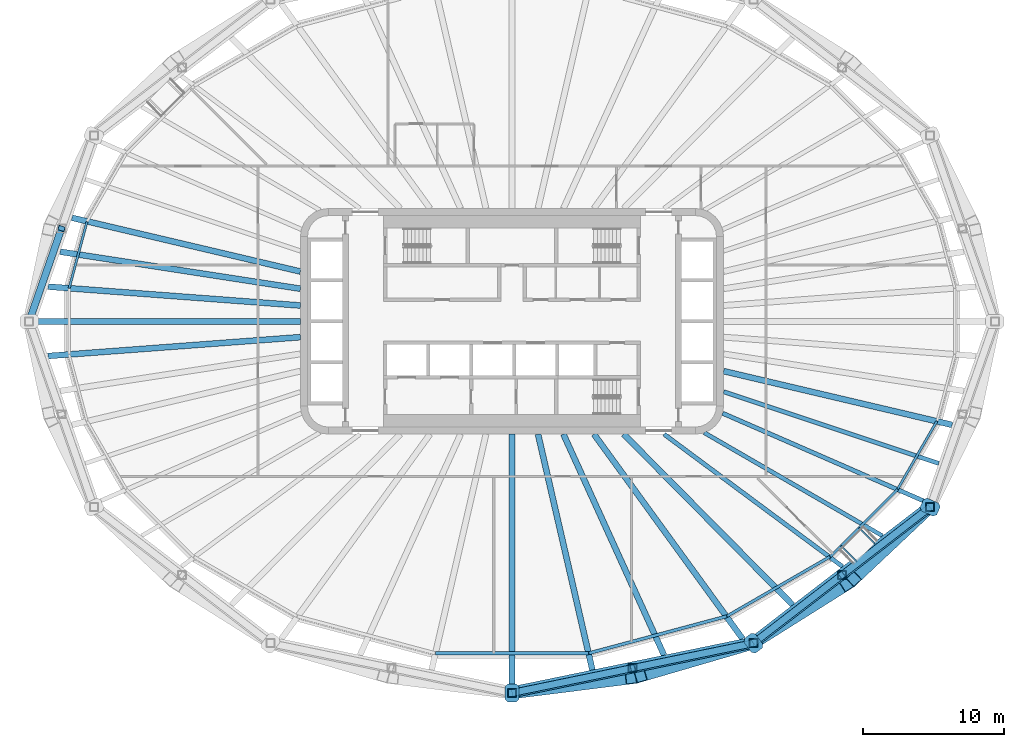
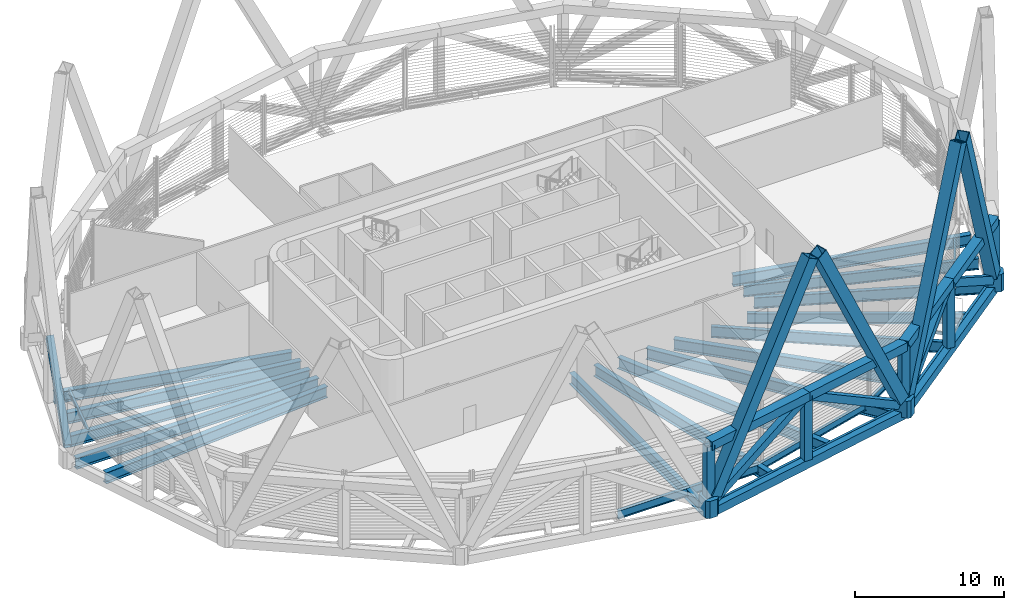
# One storey, part 2 of 18: 27 beams, 21 members.
"""IFC4 building model written with IfcOpenShell, lengths in metres."""

from ifc_helpers import new_model, si_unit, direction, frame, origin, origin_2d, place, context, subcontext, project, spatial, polyline, hollow_rectangle, i_section, outline, extrude, material, material_profile, profile_set, type_object, element, save


model = new_model("IFC4")

# Units and contexts
model_context = context("Model", 3, precision=1e-05, world=origin(), true_north=direction((0.0, 1.0)))
body_context = subcontext(model_context, "Body", "Model", "MODEL_VIEW")
ifc_project = project(units=[si_unit("LENGTHUNIT", "METRE"), si_unit("AREAUNIT", "SQUARE_METRE"), si_unit("VOLUMEUNIT", "CUBIC_METRE"), si_unit("PLANEANGLEUNIT", "RADIAN"), si_unit("MASSUNIT", "GRAM", prefix="KILO")], contexts=[model_context])

# Site, building, storey
site_placement = place(None, origin())
site = spatial("IfcSite", under=ifc_project, at=site_placement, CompositionType="ELEMENT")
building_placement = place(site_placement, origin())
building = spatial("IfcBuilding", under=site, at=building_placement, Name="Sahrelin Media Tower", CompositionType="ELEMENT")
storey_placement = place(building_placement, frame((0.0, 0.0, 148.199951171875)))
storey = spatial("IfcBuildingStorey", under=building, at=storey_placement, Name="L30", CompositionType="ELEMENT", Elevation=148.199951171875)

# Members
ifc_material_1 = material(Name="Steel S460", Category="steel")
ifc_material_profile_1 = material_profile(ifc_material_1, hollow_rectangle(XDim=0.699951171875, YDim=0.699951171875, WallThickness=0.044921875, at=origin_2d()), Name="Belt truss chord BC")
ifc_profile_set_1 = profile_set([ifc_material_profile_1], Name="Steel S460")
member_type_1 = type_object("IfcMemberType", Name="Belt truss chord BC", PredefinedType="CHORD", material=ifc_profile_set_1)
for number, where, z_axis, x_axis, name in (
    (1, (0.0, -26.345703125, 4.900146484375), (0.979386210613, 0.20199665953, 0.0), (-0.20199665953, 0.979386210613, 0.0), "Belt truss member BT06-09-T1"),
    (2, (8.55712890625, -24.580810546875, 4.900146484375), (0.979386210613, 0.20199665953, 0.0), (-0.20199665953, 0.979386210613, 0.0), "Belt truss member BT06-09-T2"),
):
    element("IfcMember", number, at=place(storey_placement, frame(where, z_axis=z_axis, x_axis=x_axis)), inside=storey, type_object=member_type_1, Name=name, PredefinedType="CHORD", context=body_context, shape_type="SweptSolid", body=[
        extrude(hollow_rectangle(XDim=0.699951171875, YDim=0.699951171875, WallThickness=0.044921875, at=origin_2d()), origin(), (0.0, 0.0, 1.0), 8.7373046875),
    ])
member_1_placement = place(storey_placement, frame((17.1142578125, -22.81591796875, 4.900146484375), z_axis=(0.792455186877, 0.609930140911, 0.0), x_axis=(-0.609930140911, 0.792455186877, 0.0)))
element("IfcMember", 3, at=member_1_placement, inside=storey, type_object=member_type_1, Name="Belt truss member BT06-10-T1", PredefinedType="CHORD", context=body_context, shape_type="SweptSolid", body=[
    extrude(hollow_rectangle(XDim=0.699951171875, YDim=0.699951171875, WallThickness=0.044921875, at=origin_2d()), origin(), (0.0, 0.0, 1.0), 7.905029296875),
])
member_2_placement = place(storey_placement, frame((23.378662109375, -17.994384765625, 4.900146484375), z_axis=(0.792443697113, 0.609945068761, 0.0), x_axis=(-0.609945068761, 0.792443697113, 0.0)))
element("IfcMember", 4, at=member_2_placement, inside=storey, type_object=member_type_1, Name="Belt truss member BT06-10-T2", PredefinedType="CHORD", context=body_context, shape_type="SweptSolid", body=[
    extrude(hollow_rectangle(XDim=0.699951171875, YDim=0.699951171875, WallThickness=0.044921875, at=origin_2d()), origin(), (0.0, 0.0, 1.0), 7.90478515625),
])
ifc_material_profile_2 = material_profile(ifc_material_1, hollow_rectangle(XDim=0.5, YDim=0.60009765625, WallThickness=0.030029296875, at=origin_2d()), Name="Belt truss diagonal BD")
ifc_profile_set_2 = profile_set([ifc_material_profile_2], Name="Steel S460")
member_type_2 = type_object("IfcMemberType", Name="Belt truss diagonal BD", PredefinedType="BRACE", material=ifc_profile_set_2)
member_3_placement = place(storey_placement, frame((-34.0546875, 0.5, 0.3720703125), z_axis=(0.269018182349, 0.772741477817, 0.574891142763), x_axis=(-0.944406303282, 0.328780678146, 0.0)))
element("IfcMember", 5, at=member_3_placement, inside=storey, type_object=member_type_2, Name="Belt truss member BT06-05-X2", PredefinedType="BRACE", context=body_context, shape_type="SweptSolid", body=[
    extrude(hollow_rectangle(XDim=0.5, YDim=0.60009765625, WallThickness=0.030029296875, at=origin_2d()), origin(), (0.0, 0.0, 1.0), 7.87646484375),
])
member_4_placement = place(storey_placement, frame((0.5, -26.24267578125, 0.286376953125), z_axis=(0.854217177148, 0.176191028569, 0.489152057868), x_axis=(-0.202007941811, 0.979383883595, 0.0)))
element("IfcMember", 6, at=member_4_placement, inside=storey, type_object=member_type_2, Name="Belt truss member BT06-09-X1", PredefinedType="BRACE", context=body_context, shape_type="SweptSolid", body=[
    extrude(hollow_rectangle(XDim=0.5, YDim=0.60009765625, WallThickness=0.030029296875, at=origin_2d()), origin(), (0.0, 0.0, 1.0), 9.43212890625),
])
member_5_placement = place(storey_placement, frame((16.572998046875, -22.927490234375, 0.31005859375), z_axis=(-0.854220181394, -0.17618795323, 0.489147919178), x_axis=(0.20200387828, -0.979384721731, 0.0)))
element("IfcMember", 7, at=member_5_placement, inside=storey, type_object=member_type_2, Name="Belt truss member BT06-09-X2", PredefinedType="BRACE", context=body_context, shape_type="SweptSolid", body=[
    extrude(hollow_rectangle(XDim=0.5, YDim=0.60009765625, WallThickness=0.030029296875, at=origin_2d()), origin(), (0.0, 0.0, 1.0), 9.3837890625),
])
member_6_placement = place(storey_placement, frame((17.510498046875, -22.510986328125, 0.31005859375), z_axis=(0.673550356599, 0.518417440385, 0.526852232253), x_axis=(-0.609933801011, 0.792452369789, 0.0)))
element("IfcMember", 8, at=member_6_placement, inside=storey, type_object=member_type_2, Name="Belt truss member BT06-10-X1", PredefinedType="BRACE", context=body_context, shape_type="SweptSolid", body=[
    extrude(hollow_rectangle(XDim=0.5, YDim=0.60009765625, WallThickness=0.030029296875, at=origin_2d()), origin(), (0.0, 0.0, 1.0), 8.71240234375),
])
member_7_placement = place(storey_placement, frame((29.192138671875, -13.519775390625, 0.3525390625), z_axis=(-0.673534148891, -0.51841650768, 0.526873869956), x_axis=(0.609942328801, -0.792445806057, 0.0)))
element("IfcMember", 9, at=member_7_placement, inside=storey, type_object=member_type_2, Name="Belt truss member BT06-10-X2", PredefinedType="BRACE", context=body_context, shape_type="SweptSolid", body=[
    extrude(hollow_rectangle(XDim=0.5, YDim=0.60009765625, WallThickness=0.030029296875, at=origin_2d()), origin(), (0.0, 0.0, 1.0), 8.63134765625),
])
ifc_material_profile_3 = material_profile(ifc_material_1, hollow_rectangle(XDim=0.60009765625, YDim=0.60009765625, WallThickness=0.034912109375, at=origin_2d()), Name="Belt truss post BP")
ifc_profile_set_3 = profile_set([ifc_material_profile_3], Name="Steel S460")
member_type_3 = type_object("IfcMemberType", Name="Belt truss post BP", PredefinedType="POST", material=ifc_profile_set_3)
member_8_placement = place(storey_placement, frame((0.0, -26.345703125, 0.699951171875), z_axis=(0.0, 0.0, 1.0), x_axis=(1.0, 0.0, 0.0)))
element("IfcMember", 10, at=member_8_placement, inside=storey, type_object=member_type_3, Name="Belt truss member BT06-09-P0", PredefinedType="POST", context=body_context, shape_type="SweptSolid", body=[
    extrude(hollow_rectangle(XDim=0.60009765625, YDim=0.60009765625, WallThickness=0.034912109375, at=origin_2d()), origin(), (0.0, 0.0, 1.0), 4.2001953125),
])
member_9_placement = place(storey_placement, frame((8.55712890625, -24.580810546875, -0.320068359375), z_axis=(0.0, 0.0, 1.0), x_axis=(1.0, 0.0, 0.0)))
element("IfcMember", 11, at=member_9_placement, inside=storey, type_object=member_type_3, Name="Belt truss member BT06-09-P1", PredefinedType="POST", context=body_context, shape_type="SweptSolid", body=[
    extrude(hollow_rectangle(XDim=0.60009765625, YDim=0.60009765625, WallThickness=0.034912109375, at=origin_2d()), origin(), (0.0, 0.0, 1.0), 5.22021484375),
])
member_10_placement = place(storey_placement, frame((17.1142578125, -22.81591796875, 0.699951171875), z_axis=(0.0, 0.0, 1.0), x_axis=(1.0, 0.0, 0.0)))
element("IfcMember", 12, at=member_10_placement, inside=storey, type_object=member_type_3, Name="Belt truss member BT06-10-P0", PredefinedType="POST", context=body_context, shape_type="SweptSolid", body=[
    extrude(hollow_rectangle(XDim=0.60009765625, YDim=0.60009765625, WallThickness=0.034912109375, at=origin_2d()), origin(), (0.0, 0.0, 1.0), 4.2001953125),
])
member_11_placement = place(storey_placement, frame((23.378662109375, -17.994384765625, -0.320068359375), z_axis=(0.0, 0.0, 1.0), x_axis=(1.0, 0.0, 0.0)))
element("IfcMember", 13, at=member_11_placement, inside=storey, type_object=member_type_3, Name="Belt truss member BT06-10-P1", PredefinedType="POST", context=body_context, shape_type="SweptSolid", body=[
    extrude(hollow_rectangle(XDim=0.60009765625, YDim=0.60009765625, WallThickness=0.034912109375, at=origin_2d()), origin(), (0.0, 0.0, 1.0), 5.22021484375),
])
member_12_placement = place(storey_placement, frame((29.642822265625, -13.1728515625, 0.699951171875), z_axis=(0.0, 0.0, 1.0), x_axis=(1.0, 0.0, 0.0)))
element("IfcMember", 14, at=member_12_placement, inside=storey, type_object=member_type_3, Name="Belt truss member BT06-11-P0", PredefinedType="POST", context=body_context, shape_type="SweptSolid", body=[
    extrude(hollow_rectangle(XDim=0.60009765625, YDim=0.60009765625, WallThickness=0.034912109375, at=origin_2d()), origin(), (0.0, 0.0, 1.0), 4.2001953125),
])
ifc_material_profile_4 = material_profile(ifc_material_1, hollow_rectangle(XDim=0.85009765625, YDim=0.85009765625, WallThickness=0.044921875, at=origin_2d()), Name="Diagrid diagonal DG4")
ifc_profile_set_4 = profile_set([ifc_material_profile_4], Name="Steel S460")
member_type_4 = type_object("IfcMemberType", Name="Diagrid diagonal DG4", PredefinedType="BRACE", material=ifc_profile_set_4)
member_13_placement = place(storey_placement, frame((0.353515625, -26.30126953125, 0.699951171875), z_axis=(0.45007404316, 0.056529528278, 0.891200184081), x_axis=(-0.124621372618, 0.992204370826, 0.0)))
element("IfcMember", 15, at=member_13_placement, inside=storey, type_object=member_type_4, Name="Diagrid diagonal D06-18", PredefinedType="BRACE", context=body_context, shape_type="SweptSolid", body=[
    extrude(hollow_rectangle(XDim=0.85009765625, YDim=0.85009765625, WallThickness=0.044921875, at=origin_2d()), origin(), (0.0, 0.0, 1.0), 17.953369140625),
])
member_14_placement = place(storey_placement, frame((16.779296875, -22.91357421875, 0.699951171875), z_axis=(-0.428302446582, -0.124777586788, 0.894979088072), x_axis=(0.279702584075, -0.960086696326, 0.0)))
element("IfcMember", 16, at=member_14_placement, inside=storey, type_object=member_type_4, Name="Diagrid diagonal D06-19", PredefinedType="BRACE", context=body_context, shape_type="SweptSolid", body=[
    extrude(hollow_rectangle(XDim=0.85009765625, YDim=0.85009765625, WallThickness=0.044921875, at=origin_2d()), origin(), (0.0, 0.0, 1.0), 17.87744140625),
])
member_15_placement = place(storey_placement, frame((17.3916015625, -22.6416015625, 0.699951171875), z_axis=(0.358790983569, 0.225788733131, 0.905697785192), x_axis=(-0.532616119089, 0.846356939882, 0.0)))
element("IfcMember", 17, at=member_15_placement, inside=storey, type_object=member_type_4, Name="Diagrid diagonal D06-20", PredefinedType="BRACE", context=body_context, shape_type="SweptSolid", body=[
    extrude(hollow_rectangle(XDim=0.85009765625, YDim=0.85009765625, WallThickness=0.044921875, at=origin_2d()), origin(), (0.0, 0.0, 1.0), 17.666015625),
])
member_16_placement = place(storey_placement, frame((29.416259765625, -13.38623046875, 0.699951171875), z_axis=(-0.295925654964, -0.278596172767, 0.913680567405), x_axis=(0.685466340944, -0.728104316313, 0.0)))
element("IfcMember", 18, at=member_16_placement, inside=storey, type_object=member_type_4, Name="Diagrid diagonal D06-21", PredefinedType="BRACE", context=body_context, shape_type="SweptSolid", body=[
    extrude(hollow_rectangle(XDim=0.85009765625, YDim=0.85009765625, WallThickness=0.044921875, at=origin_2d()), origin(), (0.0, 0.0, 1.0), 17.511474609375),
])
ifc_material_profile_5 = material_profile(ifc_material_1, outline(polyline([(0.449951171875, -0.5), (0.64990234375, -0.300048828125), (0.64990234375, 0.300048828125), (0.449951171875, 0.5), (-0.449951171875, 0.5), (-0.64990234375, 0.300048828125), (-0.64990234375, -0.300048828125), (-0.449951171875, -0.5), (0.449951171875, -0.5)])), Name="Diagrid node block 1300")
ifc_profile_set_5 = profile_set([ifc_material_profile_5], Name="Steel S460")
member_type_5 = type_object("IfcMemberType", Name="Diagrid node block 1300", PredefinedType="USERDEFINED", material=ifc_profile_set_5)
for number, where, z_axis, x_axis, name in (
    (19, (0.0, -26.345703125, -0.699951171875), (0.0, 0.0, 1.0), (0.0, -1.0, 0.0), "Diagrid node N06-09"),
    (20, (17.1142578125, -22.81591796875, -0.699951171875), (0.0, 0.0, 1.0), (0.600051693363, -0.799961227368, 0.0), "Diagrid node N06-10"),
    (21, (29.642822265625, -13.1728515625, -0.699951171875), (0.0, 0.0, 1.0), (0.913831317054, -0.40609398416, 0.0), "Diagrid node N06-11"),
):
    element("IfcMember", number, at=place(storey_placement, frame(where, z_axis=z_axis, x_axis=x_axis)), inside=storey, type_object=member_type_5, Name=name, ObjectType="NODE", PredefinedType="USERDEFINED", context=body_context, shape_type="SweptSolid", body=[
        extrude(outline(polyline([(0.449951171875, -0.5), (0.64990234375, -0.300048828125), (0.64990234375, 0.300048828125), (0.449951171875, 0.5), (-0.449951171875, 0.5), (-0.64990234375, 0.300048828125), (-0.64990234375, -0.300048828125), (-0.449951171875, -0.5), (0.449951171875, -0.5)])), origin(), (0.0, 0.0, 1.0), 1.39990234375),
    ])

# Beams
ifc_material_profile_6 = material_profile(ifc_material_1, hollow_rectangle(XDim=0.5, YDim=0.699951171875, WallThickness=0.034912109375, at=origin_2d()), Name="Diagrid ring beam RB2")
ifc_profile_set_6 = profile_set([ifc_material_profile_6], Name="Steel S460")
beam_type_1 = type_object("IfcBeamType", Name="Diagrid ring beam RB2", PredefinedType="BEAM", material=ifc_profile_set_6)
beam_1_placement = place(storey_placement, frame((0.0, -26.345703125, -0.64990234375), z_axis=(0.979386210613, 0.20199665953, 0.0), x_axis=(-0.20199665953, 0.979386210613, 0.0)))
element("IfcBeam", 22, at=beam_1_placement, inside=storey, type_object=beam_type_1, Name="Diagrid ring beam RB06-09", PredefinedType="BEAM", context=body_context, shape_type="SweptSolid", body=[
    extrude(hollow_rectangle(XDim=0.5, YDim=0.699951171875, WallThickness=0.034912109375, at=origin_2d()), origin(), (0.0, 0.0, 1.0), 17.474365234375),
])
beam_2_placement = place(storey_placement, frame((17.1142578125, -22.81591796875, -0.64990234375), z_axis=(0.7924494421, 0.609937604772, 0.0), x_axis=(-0.609937604772, 0.7924494421, 0.0)))
element("IfcBeam", 23, at=beam_2_placement, inside=storey, type_object=beam_type_1, Name="Diagrid ring beam RB06-10", PredefinedType="BEAM", context=body_context, shape_type="SweptSolid", body=[
    extrude(hollow_rectangle(XDim=0.5, YDim=0.699951171875, WallThickness=0.034912109375, at=origin_2d()), origin(), (0.0, 0.0, 1.0), 15.809814453125),
])
ifc_material_2 = material(Name="Steel S355", Category="steel")
ifc_material_profile_7 = material_profile(ifc_material_2, i_section(OverallWidth=0.1650390625, OverallDepth=0.303466796875, WebThickness=0.006103515625, FlangeThickness=0.01025390625, FilletRadius=0.0087890625, at=origin_2d()), Name="UB 305x165x40")
ifc_profile_set_7 = profile_set([ifc_material_profile_7], Name="Steel S355")
beam_type_2 = type_object("IfcBeamType", Name="Edge beam EB2", PredefinedType="BEAM", material=ifc_profile_set_7)
beam_3_placement = place(storey_placement, frame((-31.392822265625, 2.3525390625, -0.45166015625), z_axis=(0.258846475781, 0.965918475844, 0.0), x_axis=(-0.965918475844, 0.258846475781, 0.0)))
element("IfcBeam", 24, at=beam_3_placement, inside=storey, type_object=beam_type_2, Name="Edge beam L30-14", PredefinedType="BEAM", context=body_context, shape_type="SweptSolid", body=[
    extrude(i_section(OverallWidth=0.1650390625, OverallDepth=0.303466796875, WebThickness=0.006103515625, FlangeThickness=0.01025390625, FilletRadius=0.0087890625, at=origin_2d()), origin(), (0.0, 0.0, 1.0), 4.864013671875),
])
ifc_material_profile_8 = material_profile(ifc_material_2, i_section(OverallWidth=0.17138671875, OverallDepth=0.35498046875, WebThickness=0.00732421875, FlangeThickness=0.011474609375, FilletRadius=0.01025390625, at=origin_2d()), Name="UB 356x171x51")
ifc_profile_set_8 = profile_set([ifc_material_profile_8], Name="Steel S355")
beam_type_3 = type_object("IfcBeamType", Name="Edge beam EB3", PredefinedType="BEAM", material=ifc_profile_set_8)
beam_4_placement = place(storey_placement, frame((30.122802734375, -7.077392578125, -0.4775390625), z_axis=(-0.499966449638, -0.866044773228, 0.0), x_axis=(0.866044773228, -0.499966449638, 0.0)))
element("IfcBeam", 25, at=beam_4_placement, inside=storey, type_object=beam_type_3, Name="Edge beam L30-03", PredefinedType="BEAM", context=body_context, shape_type="SweptSolid", body=[
    extrude(i_section(OverallWidth=0.17138671875, OverallDepth=0.35498046875, WebThickness=0.00732421875, FlangeThickness=0.011474609375, FilletRadius=0.01025390625, at=origin_2d()), origin(), (0.0, 0.0, 1.0), 5.54345703125),
])
ifc_material_profile_9 = material_profile(ifc_material_2, i_section(OverallWidth=0.177978515625, OverallDepth=0.406494140625, WebThickness=0.0078125, FlangeThickness=0.0126953125, FilletRadius=0.01025390625, at=origin_2d()), Name="UB 406x178x60")
ifc_profile_set_9 = profile_set([ifc_material_profile_9], Name="Steel S355")
beam_type_4 = type_object("IfcBeamType", Name="Edge beam EB4", PredefinedType="BEAM", material=ifc_profile_set_9)
beam_5_placement = place(storey_placement, frame((27.333740234375, -11.90087890625, -0.503173828125), z_axis=(-0.707106781187, -0.707106781187, 0.0), x_axis=(0.707106781187, -0.707106781187, 0.0)))
element("IfcBeam", 26, at=beam_5_placement, inside=storey, type_object=beam_type_4, Name="Edge beam L30-04", PredefinedType="BEAM", context=body_context, shape_type="SweptSolid", body=[
    extrude(i_section(OverallWidth=0.177978515625, OverallDepth=0.406494140625, WebThickness=0.0078125, FlangeThickness=0.0126953125, FilletRadius=0.01025390625, at=origin_2d()), origin(), (0.0, 0.0, 1.0), 6.747802734375),
])
ifc_material_profile_10 = material_profile(ifc_material_2, i_section(OverallWidth=0.208740234375, OverallDepth=0.5283203125, WebThickness=0.009521484375, FlangeThickness=0.01318359375, FilletRadius=0.0126953125, at=origin_2d()), Name="UB 533x210x82")
ifc_profile_set_10 = profile_set([ifc_material_profile_10], Name="Steel S355")
beam_type_5 = type_object("IfcBeamType", Name="Edge beam EB6", PredefinedType="BEAM", material=ifc_profile_set_10)
beam_6_placement = place(storey_placement, frame((22.539306640625, -16.68994140625, -0.564208984375), z_axis=(-0.866024877911, -0.500000910839, 0.0), x_axis=(0.500000910839, -0.866024877911, 0.0)))
element("IfcBeam", 27, at=beam_6_placement, inside=storey, type_object=beam_type_5, Name="Edge beam L30-05", PredefinedType="BEAM", context=body_context, shape_type="SweptSolid", body=[
    extrude(i_section(OverallWidth=0.208740234375, OverallDepth=0.5283203125, WebThickness=0.009521484375, FlangeThickness=0.01318359375, FilletRadius=0.0126953125, at=origin_2d()), origin(), (0.0, 0.0, 1.0), 8.42431640625),
])
ifc_material_profile_11 = material_profile(ifc_material_2, i_section(OverallWidth=0.2275390625, OverallDepth=0.6025390625, WebThickness=0.010498046875, FlangeThickness=0.014892578125, FilletRadius=0.0126953125, at=origin_2d()), Name="UB 610x229x101")
ifc_profile_set_11 = profile_set([ifc_material_profile_11], Name="Steel S355")
beam_type_6 = type_object("IfcBeamType", Name="Edge beam EB7", PredefinedType="BEAM", material=ifc_profile_set_11)
beam_7_placement = place(storey_placement, frame((15.217041015625, -20.9130859375, -0.601318359375), z_axis=(-0.965922278313, -0.258832285968, 0.0), x_axis=(0.258832285968, -0.965922278313, 0.0)))
element("IfcBeam", 28, at=beam_7_placement, inside=storey, type_object=beam_type_6, Name="Edge beam L30-06", PredefinedType="BEAM", context=body_context, shape_type="SweptSolid", body=[
    extrude(i_section(OverallWidth=0.2275390625, OverallDepth=0.6025390625, WebThickness=0.010498046875, FlangeThickness=0.014892578125, FilletRadius=0.0126953125, at=origin_2d()), origin(), (0.0, 0.0, 1.0), 10.10595703125),
])
ifc_material_profile_12 = material_profile(ifc_material_2, i_section(OverallWidth=0.2529296875, OverallDepth=0.677978515625, WebThickness=0.01171875, FlangeThickness=0.01611328125, FilletRadius=0.01513671875, at=origin_2d()), Name="UB 686x254x125")
ifc_profile_set_12 = profile_set([ifc_material_profile_12], Name="Steel S355")
beam_type_7 = type_object("IfcBeamType", Name="Edge beam EB8", PredefinedType="BEAM", material=ifc_profile_set_12)
beam_8_placement = place(storey_placement, frame((5.427001953125, -23.532470703125, -0.638916015625), z_axis=(-1.0, 0.0, 0.0), x_axis=(0.0, -1.0, 0.0)))
element("IfcBeam", 29, at=beam_8_placement, inside=storey, type_object=beam_type_7, Name="Edge beam L30-07", PredefinedType="BEAM", context=body_context, shape_type="SweptSolid", body=[
    extrude(i_section(OverallWidth=0.2529296875, OverallDepth=0.677978515625, WebThickness=0.01171875, FlangeThickness=0.01611328125, FilletRadius=0.01513671875, at=origin_2d()), origin(), (0.0, 0.0, 1.0), 10.85400390625),
])
ifc_material_profile_13 = material_profile(ifc_material_2, hollow_rectangle(XDim=0.10009765625, YDim=0.199951171875, WallThickness=0.008056640625, at=origin_2d()), Name="RHS 200x100x8")
ifc_profile_set_13 = profile_set([ifc_material_profile_13], Name="Steel S355")
beam_type_8 = type_object("IfcBeamType", Name="Platform support beam", PredefinedType="BEAM", material=ifc_profile_set_13)
for number, where, z_axis, x_axis, name in (
    (30, (23.324462890625, -15.915771484375, -0.39990234375), (0.707106781187, -0.707106781187, 0.0), (0.707106781187, 0.707106781187, 0.0), "Platform support beam L30-21"),
    (31, (24.597412109375, -14.64306640625, -0.39990234375), (0.707028600328, -0.707184953402, 0.0), (0.707184953402, 0.707028600328, 0.0), "Platform support beam L30-21"),
):
    element("IfcBeam", number, at=place(storey_placement, frame(where, z_axis=z_axis, x_axis=x_axis)), inside=storey, type_object=beam_type_8, Name=name, PredefinedType="BEAM", context=body_context, shape_type="SweptSolid", body=[
        extrude(hollow_rectangle(XDim=0.10009765625, YDim=0.199951171875, WallThickness=0.008056640625, at=origin_2d()), origin(), (0.0, 0.0, 1.0), 1.5615234375),
    ])
ifc_material_profile_14 = material_profile(ifc_material_2, i_section(OverallWidth=0.30322265625, OverallDepth=0.903076171875, WebThickness=0.01513671875, FlangeThickness=0.020263671875, FilletRadius=0.01904296875, at=origin_2d()), Name="UB 914x305x201")
ifc_profile_set_14 = profile_set([ifc_material_profile_14], Name="Steel S355")
beam_type_9 = type_object("IfcBeamType", Name="Radial primary beam PB11", PredefinedType="BEAM", material=ifc_profile_set_14)
beam_9_placement = place(storey_placement, frame((10.78125, -8.0, -0.75146484375), z_axis=(0.803053778037, -0.595906561116, 0.0), x_axis=(0.595906561116, 0.803053778037, 0.0)))
element("IfcBeam", 32, at=beam_9_placement, inside=storey, type_object=beam_type_9, Name="Radial beam L30-21", PredefinedType="BEAM", context=body_context, shape_type="SweptSolid", body=[
    extrude(i_section(OverallWidth=0.30322265625, OverallDepth=0.903076171875, WebThickness=0.01513671875, FlangeThickness=0.020263671875, FilletRadius=0.01904296875, at=origin_2d()), origin(), (0.0, 0.0, 1.0), 15.756591796875),
])
beam_10_placement = place(storey_placement, frame((14.93212890625, -6.51513671875, -0.75146484375), z_axis=(0.916561684776, -0.399893333279, 0.0), x_axis=(0.399893333279, 0.916561684776, 0.0)))
element("IfcBeam", 33, at=beam_10_placement, inside=storey, type_object=beam_type_9, Name="Radial beam L30-22", PredefinedType="BEAM", context=body_context, shape_type="SweptSolid", body=[
    extrude(i_section(OverallWidth=0.30322265625, OverallDepth=0.903076171875, WebThickness=0.01513671875, FlangeThickness=0.020263671875, FilletRadius=0.01904296875, at=origin_2d()), origin(), (0.0, 0.0, 1.0), 15.682373046875),
])
ifc_material_profile_15 = material_profile(ifc_material_2, i_section(OverallWidth=0.41845703125, OverallDepth=0.911865234375, WebThickness=0.019287109375, FlangeThickness=0.031982421875, FilletRadius=0.024169921875, at=origin_2d()), Name="UB 914x419x343")
ifc_profile_set_15 = profile_set([ifc_material_profile_15], Name="Steel S355")
beam_type_10 = type_object("IfcBeamType", Name="Radial primary beam PB12", PredefinedType="BEAM", material=ifc_profile_set_15)
beam_11_placement = place(storey_placement, frame((-15.0, 3.529541015625, -0.755859375), z_axis=(-0.973414282612, 0.229051597694, 0.0), x_axis=(-0.229051597694, -0.973414282612, 0.0)))
element("IfcBeam", 34, at=beam_11_placement, inside=storey, type_object=beam_type_10, Name="Radial beam L30-11", PredefinedType="BEAM", context=body_context, shape_type="SweptSolid", body=[
    extrude(i_section(OverallWidth=0.41845703125, OverallDepth=0.911865234375, WebThickness=0.019287109375, FlangeThickness=0.031982421875, FilletRadius=0.024169921875, at=origin_2d()), origin(), (0.0, 0.0, 1.0), 16.6435546875),
])
for number, where, z_axis, x_axis, name in (
    (35, (-15.0, 1.121337890625, -0.755859375), (-0.997217689834, 0.07454447721, 0.0), (-0.07454447721, -0.997217689834, 0.0), "Radial beam L30-12"),
    (36, (-15.0, -1.121337890625, -0.755859375), (-0.997217689834, -0.07454447721, 0.0), (0.07454447721, -0.997217689834, 0.0), "Radial beam L30-13"),
):
    element("IfcBeam", number, at=place(storey_placement, frame(where, z_axis=z_axis, x_axis=x_axis)), inside=storey, type_object=beam_type_10, Name=name, PredefinedType="BEAM", context=body_context, shape_type="SweptSolid", body=[
        extrude(i_section(OverallWidth=0.41845703125, OverallDepth=0.911865234375, WebThickness=0.019287109375, FlangeThickness=0.031982421875, FilletRadius=0.024169921875, at=origin_2d()), origin(), (0.0, 0.0, 1.0), 17.950927734375),
    ])
beam_12_placement = place(storey_placement, frame((1.8447265625, -8.0, -0.755859375), z_axis=(0.224709827661, -0.974425724903, 0.0), x_axis=(0.974425724903, 0.224709827661, 0.0)))
element("IfcBeam", 37, at=beam_12_placement, inside=storey, type_object=beam_type_10, Name="Radial beam L30-19", PredefinedType="BEAM", context=body_context, shape_type="SweptSolid", body=[
    extrude(i_section(OverallWidth=0.41845703125, OverallDepth=0.911865234375, WebThickness=0.019287109375, FlangeThickness=0.031982421875, FilletRadius=0.024169921875, at=origin_2d()), origin(), (0.0, 0.0, 1.0), 17.154296875),
])
beam_13_placement = place(storey_placement, frame((5.810791015625, -8.0, -0.755859375), z_axis=(0.587686175415, -0.809088968672, 0.0), x_axis=(0.809088968672, 0.587686175415, 0.0)))
element("IfcBeam", 38, at=beam_13_placement, inside=storey, type_object=beam_type_10, Name="Radial beam L30-20", PredefinedType="BEAM", context=body_context, shape_type="SweptSolid", body=[
    extrude(i_section(OverallWidth=0.41845703125, OverallDepth=0.911865234375, WebThickness=0.019287109375, FlangeThickness=0.031982421875, FilletRadius=0.024169921875, at=origin_2d()), origin(), (0.0, 0.0, 1.0), 17.943115234375),
])
beam_14_placement = place(storey_placement, frame((15.0, -3.529541015625, -0.755859375), z_axis=(0.973414282612, -0.229051597694, 0.0), x_axis=(0.229051597694, 0.973414282612, 0.0)))
element("IfcBeam", 39, at=beam_14_placement, inside=storey, type_object=beam_type_10, Name="Radial beam L30-23", PredefinedType="BEAM", context=body_context, shape_type="SweptSolid", body=[
    extrude(i_section(OverallWidth=0.41845703125, OverallDepth=0.911865234375, WebThickness=0.019287109375, FlangeThickness=0.031982421875, FilletRadius=0.024169921875, at=origin_2d()), origin(), (0.0, 0.0, 1.0), 16.6435546875),
])
ifc_material_profile_16 = material_profile(ifc_material_2, i_section(OverallWidth=0.291748046875, OverallDepth=0.8349609375, WebThickness=0.013916015625, FlangeThickness=0.018798828125, FilletRadius=0.017822265625, at=origin_2d()), Name="UB 838x292x176")
ifc_profile_set_16 = profile_set([ifc_material_profile_16], Name="Steel S355")
beam_type_11 = type_object("IfcBeamType", Name="Radial secondary beam SB10", PredefinedType="BEAM", material=ifc_profile_set_16)
beam_15_placement = place(storey_placement, frame((13.622314453125, -7.888427734375, -0.717529296875), z_axis=(0.865372129268, -0.501129801435, 0.0), x_axis=(0.501129801435, 0.865372129268, 0.0)))
element("IfcBeam", 40, at=beam_15_placement, inside=storey, type_object=beam_type_11, Name="Secondary beam L30-21", PredefinedType="BEAM", context=body_context, shape_type="SweptSolid", body=[
    extrude(i_section(OverallWidth=0.291748046875, OverallDepth=0.8349609375, WebThickness=0.013916015625, FlangeThickness=0.018798828125, FilletRadius=0.017822265625, at=origin_2d()), origin(), (0.0, 0.0, 1.0), 14.610595703125),
])
ifc_material_profile_17 = material_profile(ifc_material_2, i_section(OverallWidth=0.30322265625, OverallDepth=0.903076171875, WebThickness=0.01513671875, FlangeThickness=0.020263671875, FilletRadius=0.01904296875, at=origin_2d()), Name="UB 914x305x201")
ifc_profile_set_17 = profile_set([ifc_material_profile_17], Name="Steel S355")
beam_type_12 = type_object("IfcBeamType", Name="Radial secondary beam SB11", PredefinedType="BEAM", material=ifc_profile_set_17)
beam_16_placement = place(storey_placement, frame((15.0, -4.99169921875, -0.75146484375), z_axis=(0.948835067855, -0.315772091876, 0.0), x_axis=(0.315772091876, 0.948835067855, 0.0)))
element("IfcBeam", 41, at=beam_16_placement, inside=storey, type_object=beam_type_12, Name="Secondary beam L30-22", PredefinedType="BEAM", context=body_context, shape_type="SweptSolid", body=[
    extrude(i_section(OverallWidth=0.30322265625, OverallDepth=0.903076171875, WebThickness=0.01513671875, FlangeThickness=0.020263671875, FilletRadius=0.01904296875, at=origin_2d()), origin(), (0.0, 0.0, 1.0), 16.07470703125),
])
ifc_material_profile_18 = material_profile(ifc_material_2, i_section(OverallWidth=0.41845703125, OverallDepth=0.911865234375, WebThickness=0.019287109375, FlangeThickness=0.031982421875, FilletRadius=0.024169921875, at=origin_2d()), Name="UB 914x419x343")
ifc_profile_set_18 = profile_set([ifc_material_profile_18], Name="Steel S355")
beam_type_13 = type_object("IfcBeamType", Name="Radial secondary beam SB12", PredefinedType="BEAM", material=ifc_profile_set_18)
beam_17_placement = place(storey_placement, frame((-15.0, 2.310791015625, -0.755859375), z_axis=(-0.98833778399, 0.152277459719, 0.0), x_axis=(-0.152277459719, -0.98833778399, 0.0)))
element("IfcBeam", 42, at=beam_17_placement, inside=storey, type_object=beam_type_13, Name="Secondary beam L30-11", PredefinedType="BEAM", context=body_context, shape_type="SweptSolid", body=[
    extrude(i_section(OverallWidth=0.41845703125, OverallDepth=0.911865234375, WebThickness=0.019287109375, FlangeThickness=0.031982421875, FilletRadius=0.024169921875, at=origin_2d()), origin(), (0.0, 0.0, 1.0), 17.239990234375),
])
beam_18_placement = place(storey_placement, frame((-15.0, 0.0, -0.755859375), z_axis=(-1.0, 0.0, 0.0), x_axis=(0.0, -1.0, 0.0)))
element("IfcBeam", 43, at=beam_18_placement, inside=storey, type_object=beam_type_13, Name="Secondary beam L30-12", PredefinedType="BEAM", context=body_context, shape_type="SweptSolid", body=[
    extrude(i_section(OverallWidth=0.41845703125, OverallDepth=0.911865234375, WebThickness=0.019287109375, FlangeThickness=0.031982421875, FilletRadius=0.024169921875, at=origin_2d()), origin(), (0.0, 0.0, 1.0), 18.757080078125),
])
beam_19_placement = place(storey_placement, frame((0.0, -8.0, -0.755859375), z_axis=(0.0, -1.0, 0.0), x_axis=(1.0, 0.0, 0.0)))
element("IfcBeam", 44, at=beam_19_placement, inside=storey, type_object=beam_type_13, Name="Secondary beam L30-18", PredefinedType="BEAM", context=body_context, shape_type="SweptSolid", body=[
    extrude(i_section(OverallWidth=0.41845703125, OverallDepth=0.911865234375, WebThickness=0.019287109375, FlangeThickness=0.031982421875, FilletRadius=0.024169921875, at=origin_2d()), origin(), (0.0, 0.0, 1.0), 17.890869140625),
])
beam_20_placement = place(storey_placement, frame((3.64404296875, -8.0, -0.755859375), z_axis=(0.414519724736, -0.910040327571, 0.0), x_axis=(0.910040327571, 0.414519724736, 0.0)))
element("IfcBeam", 45, at=beam_20_placement, inside=storey, type_object=beam_type_13, Name="Secondary beam L30-19", PredefinedType="BEAM", context=body_context, shape_type="SweptSolid", body=[
    extrude(i_section(OverallWidth=0.41845703125, OverallDepth=0.911865234375, WebThickness=0.019287109375, FlangeThickness=0.031982421875, FilletRadius=0.024169921875, at=origin_2d()), origin(), (0.0, 0.0, 1.0), 17.21630859375),
])
beam_21_placement = place(storey_placement, frame((7.9189453125, -8.0, -0.755859375), z_axis=(0.703486115933, -0.710709001413, 0.0), x_axis=(0.710709001413, 0.703486115933, 0.0)))
element("IfcBeam", 46, at=beam_21_placement, inside=storey, type_object=beam_type_13, Name="Secondary beam L30-20", PredefinedType="BEAM", context=body_context, shape_type="SweptSolid", body=[
    extrude(i_section(OverallWidth=0.41845703125, OverallDepth=0.911865234375, WebThickness=0.019287109375, FlangeThickness=0.031982421875, FilletRadius=0.024169921875, at=origin_2d()), origin(), (0.0, 0.0, 1.0), 17.03564453125),
])
ifc_material_profile_19 = material_profile(ifc_material_2, i_section(OverallWidth=0.1904296875, OverallDepth=0.45703125, WebThickness=0.009033203125, FlangeThickness=0.014404296875, FilletRadius=0.01025390625, at=origin_2d()), Name="UB 457x191x74")
ifc_profile_set_19 = profile_set([ifc_material_profile_19], Name="Steel S355")
beam_type_14 = type_object("IfcBeamType", Name="Tie chord TC5", PredefinedType="BEAM", material=ifc_profile_set_19)
beam_22_placement = place(storey_placement, frame((29.346435546875, -12.958984375, -0.528564453125), z_axis=(-0.792445049932, -0.609943311167, 0.0), x_axis=(0.609943311167, -0.792445049932, 0.0)))
element("IfcBeam", 47, at=beam_22_placement, inside=storey, type_object=beam_type_14, Name="Tie chord L30-02", PredefinedType="BEAM", context=body_context, shape_type="SweptSolid", body=[
    extrude(i_section(OverallWidth=0.1904296875, OverallDepth=0.45703125, WebThickness=0.009033203125, FlangeThickness=0.014404296875, FilletRadius=0.01025390625, at=origin_2d()), origin(), (0.0, 0.0, 1.0), 15.624755859375),
])
beam_23_placement = place(storey_placement, frame((16.964599609375, -22.4892578125, -0.528564453125), z_axis=(-0.979387799512, -0.201988955557, 0.0), x_axis=(0.201988955557, -0.979387799512, 0.0)))
element("IfcBeam", 48, at=beam_23_placement, inside=storey, type_object=beam_type_14, Name="Tie chord L30-03", PredefinedType="BEAM", context=body_context, shape_type="SweptSolid", body=[
    extrude(i_section(OverallWidth=0.1904296875, OverallDepth=0.45703125, WebThickness=0.009033203125, FlangeThickness=0.014404296875, FilletRadius=0.01025390625, at=origin_2d()), origin(), (0.0, 0.0, 1.0), 17.321533203125),
])

save(model, "model.ifc")
